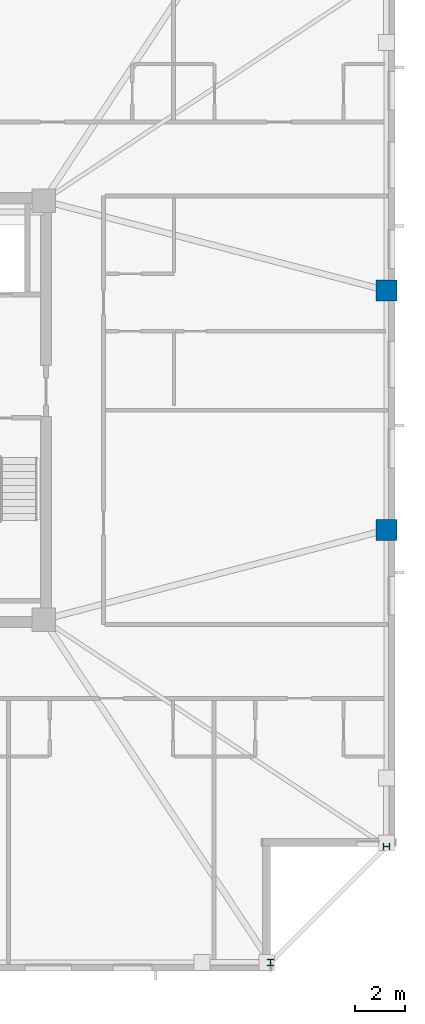
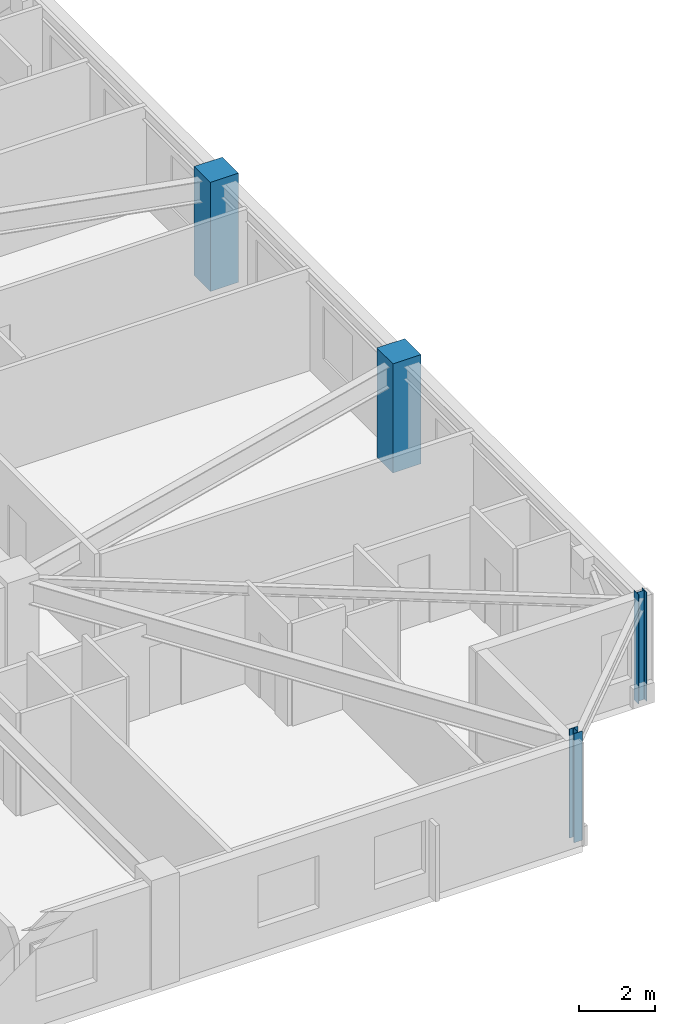
# One storey, part 3 of 17: 4 columns.
"""IFC4 building model written with IfcOpenShell, lengths in metres."""

from ifc_helpers import new_model, si_unit, direction, frame, origin, origin_2d, place, context, subcontext, project, spatial, rectangle, i_section, extrude, material, material_profile, profile_set, type_object, element, save


model = new_model("IFC4")

# Units and contexts
model_context = context("Model", 3, precision=1e-05, world=origin(), true_north=direction((0.0, 1.0)))
body_context = subcontext(model_context, "Body", "Model", "MODEL_VIEW")
ifc_project = project(units=[si_unit("LENGTHUNIT", "METRE"), si_unit("AREAUNIT", "SQUARE_METRE"), si_unit("VOLUMEUNIT", "CUBIC_METRE"), si_unit("PLANEANGLEUNIT", "RADIAN"), si_unit("MASSUNIT", "GRAM", prefix="KILO")], contexts=[model_context])

# Site, building, storey
site_placement = place(None, origin())
site = spatial("IfcSite", under=ifc_project, at=site_placement, CompositionType="ELEMENT")
building_placement = place(site_placement, origin())
building = spatial("IfcBuilding", under=site, at=building_placement, Name="Cairnveth Concourse Tower", CompositionType="ELEMENT")
storey_placement = place(building_placement, frame((0.0, 0.0, 241.0)))
storey = spatial("IfcBuildingStorey", under=building, at=storey_placement, Name="L66", CompositionType="ELEMENT", Elevation=241.0)

# Columns
ifc_material_1 = material(Name="Concrete N65 (65 MPa)", Category="concrete")
ifc_material_profile_1 = material_profile(ifc_material_1, rectangle(XDim=0.85009765625, YDim=0.85009765625, at=origin_2d()), Name="RC-COL-850x850")
ifc_profile_set_1 = profile_set([ifc_material_profile_1], Name="Concrete N65 (65 MPa)")
column_type_1 = type_object("IfcColumnType", Name="PERIMETER PIER COLUMN 850X850", PredefinedType="COLUMN", material=ifc_profile_set_1)
for number, where, z_axis, x_axis, name in (
    (1, (74.14990234375, 34.199951171875, 0.0), (0.0, 0.0, 1.0), (0.0, 1.0, 0.0), "Column P-E2 L66"),
    (2, (74.14990234375, 43.800048828125, 0.0), (0.0, 0.0, 1.0), (0.0, 1.0, 0.0), "Column P-E3 L66"),
):
    element("IfcColumn", number, at=place(storey_placement, frame(where, z_axis=z_axis, x_axis=x_axis)), inside=storey, type_object=column_type_1, Name=name, PredefinedType="COLUMN", context=body_context, shape_type="SweptSolid", body=[
        extrude(rectangle(XDim=0.85009765625, YDim=0.85009765625, at=origin_2d()), origin(), (0.0, 0.0, 1.0), 3.5),
    ])
ifc_material_2 = material(Name="Steel Grade 350", Category="steel")
ifc_material_profile_2 = material_profile(ifc_material_2, i_section(OverallWidth=0.256103515625, OverallDepth=0.260009765625, WebThickness=0.010498046875, FlangeThickness=0.017333984375, FilletRadius=0.012939453125, at=origin_2d()), Name="250UC89.5")
ifc_profile_set_2 = profile_set([ifc_material_profile_2], Name="Steel Grade 350")
column_type_2 = type_object("IfcColumnType", Name="UNIVERSAL STEEL COLUMN 250UC89.5", PredefinedType="COLUMN", material=ifc_profile_set_2)
for number, where, z_axis, x_axis, name in (
    (3, (69.5, 16.85009765625, 0.0), (0.0, 0.0, 1.0), (1.0, 0.0, 0.0), "Column P-S4 L66"),
    (4, (74.14990234375, 21.5, 0.0), (0.0, 0.0, 1.0), (0.0, 1.0, 0.0), "Column P-E1 L66"),
):
    element("IfcColumn", number, at=place(storey_placement, frame(where, z_axis=z_axis, x_axis=x_axis)), inside=storey, type_object=column_type_2, Name=name, PredefinedType="COLUMN", context=body_context, shape_type="SweptSolid", body=[
        extrude(i_section(OverallWidth=0.256103515625, OverallDepth=0.260009765625, WebThickness=0.010498046875, FlangeThickness=0.017333984375, FilletRadius=0.012939453125, at=origin_2d()), origin(), (0.0, 0.0, 1.0), 3.5),
    ])

save(model, "model.ifc")
